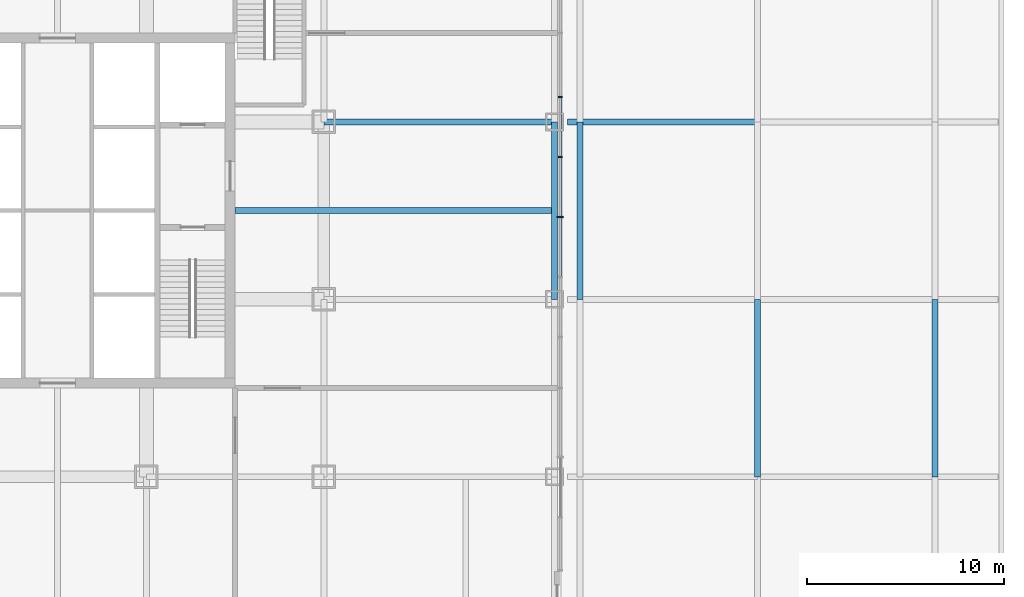
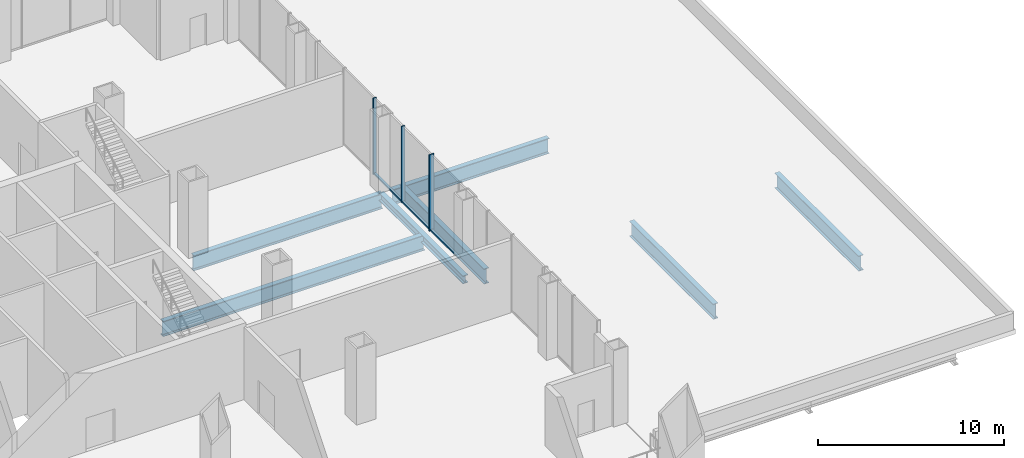
# One storey, part 9 of 16: 7 beams, 6 members, 1 element without a shape of its own.
"""IFC4 building model written with IfcOpenShell, lengths in metres."""

from ifc_helpers import new_model, si_unit, direction, frame, origin, origin_2d, place, context, subcontext, project, spatial, rectangle, i_section, extrude, material, layer, layer_set, material_profile, profile_set, type_object, element, aggregate, save


model = new_model("IFC4")

# Units and contexts
model_context = context("Model", 3, precision=1e-05, world=origin(), true_north=direction((0.0, 1.0)))
body_context = subcontext(model_context, "Body", "Model", "MODEL_VIEW")
ifc_project = project(units=[si_unit("LENGTHUNIT", "METRE"), si_unit("AREAUNIT", "SQUARE_METRE"), si_unit("VOLUMEUNIT", "CUBIC_METRE"), si_unit("PLANEANGLEUNIT", "RADIAN"), si_unit("MASSUNIT", "GRAM", prefix="KILO")], contexts=[model_context])

# Site, building, storey
site_placement = place(None, origin())
site = spatial("IfcSite", under=ifc_project, at=site_placement, CompositionType="ELEMENT")
building_placement = place(site_placement, origin())
building = spatial("IfcBuilding", under=site, at=building_placement, Name="Malebo Sky Hospital", CompositionType="ELEMENT")
storey_placement = place(building_placement, frame((0.0, 0.0, 26.0)))
storey = spatial("IfcBuildingStorey", under=building, at=storey_placement, Name="L05", CompositionType="ELEMENT", Elevation=26.0)

# Curtain wall, members
ifc_material_1 = material(Name="Anodised aluminium, natural silver", Category="aluminium")
ifc_layer = layer(ifc_material_1, 0.25)
ifc_layer_set = layer_set([ifc_layer], Name="PLANT LOUVRE SCREEN")
curtain_wall_type = type_object("IfcCurtainWallType", Name="PLANT LOUVRE SCREEN", PredefinedType="NOTDEFINED", material=ifc_layer_set)
curtain_wall_placement = place(storey_placement, origin())
curtain_wall = element("IfcCurtainWall", 1, at=curtain_wall_placement, inside=storey, type_object=curtain_wall_type, Name="PLANT curtain wall E", PredefinedType="NOTDEFINED")
ifc_material_profile_1 = material_profile(ifc_material_1, rectangle(XDim=0.14990234375, YDim=0.10009765625, at=origin_2d()), Name="ALUMINIUM TRANSOM 150x100")
ifc_profile_set_1 = profile_set([ifc_material_profile_1], Name="Anodised aluminium, natural silver")
member_type_1 = type_object("IfcMemberType", Name="ALUMINIUM TRANSOM 150x100", PredefinedType="USERDEFINED", material=ifc_profile_set_1)
member_1_placement = place(storey_placement, frame((85.5, 67.731689453125, 0.050048828125), z_axis=(0.0, -1.0, 0.0), x_axis=(1.0, 0.0, 0.0)))
member_1 = element("IfcMember", 2, at=member_1_placement, type_object=member_type_1, Name="Transom 6", ObjectType="TRANSOM", PredefinedType="USERDEFINED", context=body_context, shape_type="SweptSolid", body=[
    extrude(rectangle(XDim=0.14990234375, YDim=0.10009765625, at=origin_2d()), origin(), (0.0, 0.0, 1.0), 2.97119140625),
])
member_2_placement = place(storey_placement, frame((85.5, 64.685546875, 0.050048828125), z_axis=(0.0, -1.0, 0.0), x_axis=(1.0, 0.0, 0.0)))
member_2 = element("IfcMember", 3, at=member_2_placement, type_object=member_type_1, Name="Transom 7", ObjectType="TRANSOM", PredefinedType="USERDEFINED", context=body_context, shape_type="SweptSolid", body=[
    extrude(rectangle(XDim=0.14990234375, YDim=0.10009765625, at=origin_2d()), origin(), (0.0, 0.0, 1.0), 2.97119140625),
])
member_3_placement = place(storey_placement, frame((85.5, 61.639404296875, 0.050048828125), z_axis=(0.0, -1.0, 0.0), x_axis=(1.0, 0.0, 0.0)))
member_3 = element("IfcMember", 4, at=member_3_placement, type_object=member_type_1, Name="Transom 8", ObjectType="TRANSOM", PredefinedType="USERDEFINED", context=body_context, shape_type="SweptSolid", body=[
    extrude(rectangle(XDim=0.14990234375, YDim=0.10009765625, at=origin_2d()), origin(), (0.0, 0.0, 1.0), 2.97119140625),
])
ifc_material_profile_2 = material_profile(ifc_material_1, rectangle(XDim=0.074951171875, YDim=0.199951171875, at=origin_2d()), Name="CW5 ALUMINIUM FIN MULLION 75x200")
ifc_profile_set_2 = profile_set([ifc_material_profile_2], Name="Anodised aluminium, natural silver")
member_type_2 = type_object("IfcMemberType", Name="CW5 ALUMINIUM FIN MULLION 75x200", PredefinedType="MULLION", material=ifc_profile_set_2)
member_4_placement = place(storey_placement, frame((85.5, 67.769287109375, 0.0), z_axis=(0.0, 0.0, 1.0), x_axis=(0.0, -1.0, 0.0)))
member_4 = element("IfcMember", 5, at=member_4_placement, type_object=member_type_2, Name="Fin mullion 6", PredefinedType="MULLION", context=body_context, shape_type="SweptSolid", body=[
    extrude(rectangle(XDim=0.074951171875, YDim=0.199951171875, at=origin_2d()), origin(), (0.0, 0.0, 1.0), 5.0),
])
member_5_placement = place(storey_placement, frame((85.5, 64.72314453125, 0.0), z_axis=(0.0, 0.0, 1.0), x_axis=(0.0, -1.0, 0.0)))
member_5 = element("IfcMember", 6, at=member_5_placement, type_object=member_type_2, Name="Fin mullion 7", PredefinedType="MULLION", context=body_context, shape_type="SweptSolid", body=[
    extrude(rectangle(XDim=0.074951171875, YDim=0.199951171875, at=origin_2d()), origin(), (0.0, 0.0, 1.0), 5.0),
])
ifc_material_profile_3 = material_profile(ifc_material_1, rectangle(XDim=0.074951171875, YDim=0.300048828125, at=origin_2d()), Name="CW5 ALUMINIUM FIN MULLION 75x300")
ifc_profile_set_3 = profile_set([ifc_material_profile_3], Name="Anodised aluminium, natural silver")
member_type_3 = type_object("IfcMemberType", Name="CW5 ALUMINIUM FIN MULLION 75x300", PredefinedType="MULLION", material=ifc_profile_set_3)
member_6_placement = place(storey_placement, frame((85.5, 61.677001953125, 0.0), z_axis=(0.0, 0.0, 1.0), x_axis=(0.0, -1.0, 0.0)))
member_6 = element("IfcMember", 7, at=member_6_placement, type_object=member_type_3, Name="Fin mullion 8", PredefinedType="MULLION", context=body_context, shape_type="SweptSolid", body=[
    extrude(rectangle(XDim=0.074951171875, YDim=0.300048828125, at=origin_2d()), origin(), (0.0, 0.0, 1.0), 5.0),
])
aggregate(curtain_wall, [member_4, member_5, member_6, member_1, member_2, member_3])

# Beams
ifc_material_2 = material(Name="Steel S355", Category="steel")
ifc_material_profile_4 = material_profile(ifc_material_2, i_section(OverallWidth=0.305908203125, OverallDepth=0.52392578125, WebThickness=0.02099609375, FlangeThickness=0.0400390625, FilletRadius=0.027099609375, at=origin_2d()), Name="HEM 500")
ifc_profile_set_4 = profile_set([ifc_material_profile_4], Name="Steel S355")
beam_type_1 = type_object("IfcBeamType", Name="EDGE BEAM HEM 500", PredefinedType="BEAM", material=ifc_profile_set_4)
beam_1_placement = place(storey_placement, frame((85.199951171875, 57.5, -0.56201171875), z_axis=(0.0, 1.0, 0.0), x_axis=(-1.0, 0.0, 0.0)))
element("IfcBeam", 8, at=beam_1_placement, inside=storey, type_object=beam_type_1, Name="Beam 031 L05", PredefinedType="BEAM", context=body_context, shape_type="SweptSolid", body=[
    extrude(i_section(OverallWidth=0.305908203125, OverallDepth=0.52392578125, WebThickness=0.02099609375, FlangeThickness=0.0400390625, FilletRadius=0.027099609375, at=origin_2d()), origin(), (0.0, 0.0, 1.0), 9.0),
])
ifc_material_profile_5 = material_profile(ifc_material_2, i_section(OverallWidth=0.300048828125, OverallDepth=1.0, WebThickness=0.01904296875, FlangeThickness=0.035888671875, FilletRadius=0.030029296875, at=origin_2d()), Name="HEB 1000")
ifc_profile_set_5 = profile_set([ifc_material_profile_5], Name="Steel S355")
beam_type_2 = type_object("IfcBeamType", Name="FLOOR BEAM HEB 1000", PredefinedType="BEAM", material=ifc_profile_set_5)
beam_2_placement = place(storey_placement, frame((69.0, 62.0, -0.800048828125), z_axis=(1.0, 0.0, 0.0), x_axis=(0.0, 1.0, 0.0)))
element("IfcBeam", 9, at=beam_2_placement, inside=storey, type_object=beam_type_2, Name="Beam 051 L05", PredefinedType="BEAM", context=body_context, shape_type="SweptSolid", body=[
    extrude(i_section(OverallWidth=0.300048828125, OverallDepth=1.0, WebThickness=0.01904296875, FlangeThickness=0.035888671875, FilletRadius=0.030029296875, at=origin_2d()), origin(), (0.0, 0.0, 1.0), 16.199951171875),
])
beam_3_placement = place(storey_placement, frame((73.5, 66.5, -0.800048828125), z_axis=(1.0, 0.0, 0.0), x_axis=(0.0, 1.0, 0.0)))
element("IfcBeam", 10, at=beam_3_placement, inside=storey, type_object=beam_type_2, Name="Beam 055 L05", PredefinedType="BEAM", context=body_context, shape_type="SweptSolid", body=[
    extrude(i_section(OverallWidth=0.300048828125, OverallDepth=1.0, WebThickness=0.01904296875, FlangeThickness=0.035888671875, FilletRadius=0.030029296875, at=origin_2d()), origin(), (0.0, 0.0, 1.0), 11.699951171875),
])
for number, where, z_axis, x_axis, name in (
    (11, (86.5, 57.5, -0.800048828125), (0.0, 1.0, 0.0), (-1.0, 0.0, 0.0), "Beam E003 L05"),
    (12, (95.5, 48.5, -0.800048828125), (0.0, 1.0, 0.0), (-1.0, 0.0, 0.0), "Beam E007 L05"),
    (13, (104.5, 48.5, -0.800048828125), (0.0, 1.0, 0.0), (-1.0, 0.0, 0.0), "Beam E012 L05"),
):
    element("IfcBeam", number, at=place(storey_placement, frame(where, z_axis=z_axis, x_axis=x_axis)), inside=storey, type_object=beam_type_2, Name=name, PredefinedType="BEAM", context=body_context, shape_type="SweptSolid", body=[
        extrude(i_section(OverallWidth=0.300048828125, OverallDepth=1.0, WebThickness=0.01904296875, FlangeThickness=0.035888671875, FilletRadius=0.030029296875, at=origin_2d()), origin(), (0.0, 0.0, 1.0), 9.0),
    ])
beam_4_placement = place(storey_placement, frame((85.85009765625, 66.5, -0.800048828125), z_axis=(1.0, 0.0, 0.0), x_axis=(0.0, 1.0, 0.0)))
element("IfcBeam", 14, at=beam_4_placement, inside=storey, type_object=beam_type_2, Name="Beam E022 L05", PredefinedType="BEAM", context=body_context, shape_type="SweptSolid", body=[
    extrude(i_section(OverallWidth=0.300048828125, OverallDepth=1.0, WebThickness=0.01904296875, FlangeThickness=0.035888671875, FilletRadius=0.030029296875, at=origin_2d()), origin(), (0.0, 0.0, 1.0), 9.64990234375),
])

save(model, "model.ifc")
